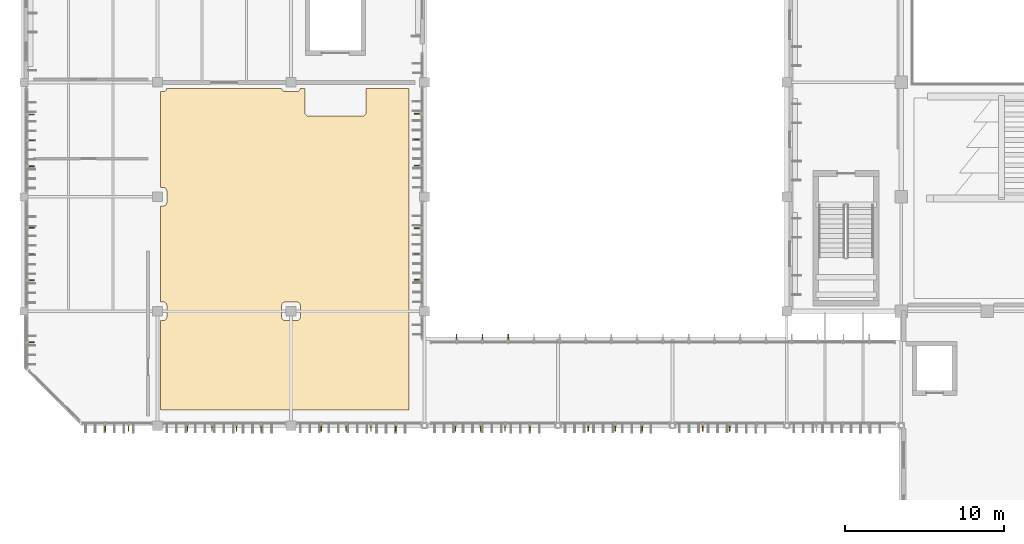
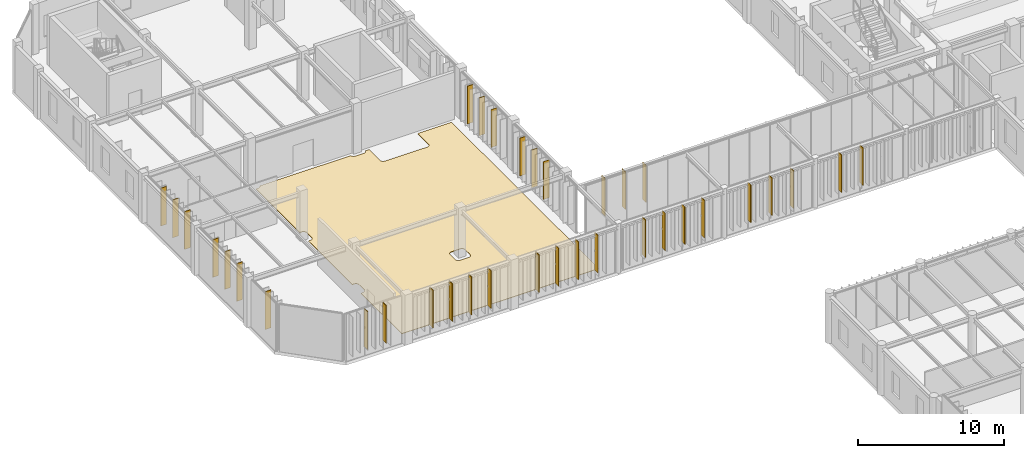
# One storey, part 91 of 104: 35 shading devices, 1 covering.
"""IFC4 building model written with IfcOpenShell, lengths in metres."""

from ifc_helpers import new_model, si_unit, direction, frame, origin, origin_2d, place, context, subcontext, project, spatial, polyline, rectangle, outline, extrude, material, layer, layer_set, type_object, element, save


model = new_model("IFC4")

# Units and contexts
model_context = context("Model", 3, precision=1e-05, world=origin(), true_north=direction((0.0, 1.0)))
body_context = subcontext(model_context, "Body", "Model", "MODEL_VIEW")
ifc_project = project(units=[si_unit("LENGTHUNIT", "METRE"), si_unit("AREAUNIT", "SQUARE_METRE"), si_unit("VOLUMEUNIT", "CUBIC_METRE"), si_unit("PLANEANGLEUNIT", "RADIAN"), si_unit("MASSUNIT", "GRAM", prefix="KILO")], contexts=[model_context])

# Site, building, storey
site_placement = place(None, origin())
site = spatial("IfcSite", under=ifc_project, at=site_placement, CompositionType="ELEMENT")
building_placement = place(site_placement, origin())
building = spatial("IfcBuilding", under=site, at=building_placement, Name="Tazoul Stagehouse", CompositionType="ELEMENT")
storey_placement = place(building_placement, frame((0.0, 0.0, 9.0)))
storey = spatial("IfcBuildingStorey", under=building, at=storey_placement, Name="L02", CompositionType="ELEMENT", Elevation=9.0)

# Shading devices
ifc_material_1 = material(Name="Anodised Bronze Aluminium 6063-T6", Category="aluminium")
ifc_layer_1 = layer(ifc_material_1, 0.050048828125, Name="Anodised Bronze Aluminium 6063-T6")
ifc_layer_set_1 = layer_set([ifc_layer_1], Name="Anodised Bronze Aluminium 6063-T6")
shading_device_type_1 = type_object("IfcShadingDeviceType", Name="Angled Acoustic Sun-Screen Blade 460", PredefinedType="USERDEFINED", material=ifc_layer_set_1)
for number, where, z_axis, x_axis, name in (
    (1, (7.5166015625, 44.469970703125, 0.75), (0.0, 0.0, 1.0), (1.0, 0.0, 0.0), "Shading Louvre FIN-02 CW-V6-S-L02-B1-SHD01"),
    (2, (12.68994140625, 44.469970703125, 0.75), (0.0, 0.0, 1.0), (1.0, 0.0, 0.0), "Shading Louvre FIN-02 CW-V6-S-L02-B2-SHD01"),
    (3, (15.77001953125, 44.469970703125, 0.75), (0.0, 0.0, 1.0), (1.0, 0.0, 0.0), "Shading Louvre FIN-02 CW-V6-S-L02-B2-SHD03"),
    (4, (21.110107421875, 44.469970703125, 0.75), (0.0, 0.0, 1.0), (1.0, 0.0, 0.0), "Shading Louvre FIN-02 CW-V6-S-L02-B3-SHD01"),
    (5, (24.22998046875, 44.469970703125, 0.75), (0.0, 0.0, 1.0), (1.0, 0.0, 0.0), "Shading Louvre FIN-02 CW-V6-S-L02-B3-SHD03"),
    (6, (2.830078125, 49.85009765625, 0.75), (0.0, 0.0, 1.0), (0.0, 1.0, 0.0), "Shading Louvre FIN-02 CW-V6-W1-L02-B1-SHD01"),
    (7, (2.830078125, 53.75, 0.75), (0.0, 0.0, 1.0), (0.0, 1.0, 0.0), "Shading Louvre FIN-02 CW-V6-W1-L02-B2-SHD01"),
    (8, (2.830078125, 57.050048828125, 0.75), (0.0, 0.0, 1.0), (0.0, 1.0, 0.0), "Shading Louvre FIN-02 CW-V6-W1-L02-B2-SHD03"),
    (9, (2.830078125, 60.925048828125, 0.75), (0.0, 0.0, 1.0), (0.0, 1.0, 0.0), "Shading Louvre FIN-02 CW-V6-W1-L02-B3-SHD01"),
    (10, (2.830078125, 64.175048828125, 0.75), (0.0, 0.0, 1.0), (0.0, 1.0, 0.0), "Shading Louvre FIN-02 CW-V6-W1-L02-B3-SHD03"),
    (11, (27.169921875, 53.77490234375, 0.75), (0.0, 0.0, 1.0), (0.0, 1.0, 0.0), "Shading Louvre FIN-02 CW-V6-E1-L02-B2-SHD01"),
    (12, (27.169921875, 57.02490234375, 0.75), (0.0, 0.0, 1.0), (0.0, 1.0, 0.0), "Shading Louvre FIN-02 CW-V6-E1-L02-B2-SHD03"),
    (13, (27.169921875, 60.97509765625, 0.75), (0.0, 0.0, 1.0), (0.0, 1.0, 0.0), "Shading Louvre FIN-02 CW-V6-E1-L02-B3-SHD01"),
    (14, (27.169921875, 64.22509765625, 0.75), (0.0, 0.0, 1.0), (0.0, 1.0, 0.0), "Shading Louvre FIN-02 CW-V6-E1-L02-B3-SHD03"),
):
    element("IfcShadingDevice", number, at=place(storey_placement, frame(where, z_axis=z_axis, x_axis=x_axis)), inside=storey, type_object=shading_device_type_1, Name=name, ObjectType="FIN", PredefinedType="USERDEFINED", context=body_context, shape_type="SweptSolid", body=[
        extrude(rectangle(XDim=0.044921875, YDim=0.4599609375, at=origin_2d()), origin(), (0.0, 0.0, 1.0), 3.169921875),
    ])
for number, where, z_axis, x_axis, name in (
    (15, (29.5576171875, 44.469970703125, 0.75), (0.0, 0.0, 1.0), (1.0, 0.0, 0.0), "Shading Louvre FIN-02 CW-WLNK-S-L02-B1-SHD01"),
    (16, (32.6728515625, 44.469970703125, 0.75), (0.0, 0.0, 1.0), (1.0, 0.0, 0.0), "Shading Louvre FIN-02 CW-WLNK-S-L02-B1-SHD03"),
    (17, (37.906005859375, 44.469970703125, 0.75), (0.0, 0.0, 1.0), (1.0, 0.0, 0.0), "Shading Louvre FIN-02 CW-WLNK-S-L02-B2-SHD01"),
    (18, (41.294189453125, 44.469970703125, 0.75), (0.0, 0.0, 1.0), (1.0, 0.0, 0.0), "Shading Louvre FIN-02 CW-WLNK-S-L02-B2-SHD03"),
    (19, (45.10595703125, 44.469970703125, 0.75), (0.0, 0.0, 1.0), (1.0, 0.0, 0.0), "Shading Louvre FIN-02 CW-WLNK-S-L02-B3-SHD01"),
    (20, (29.622314453125, 50.1298828125, 0.75), (0.0, 0.0, 1.0), (1.0, 0.0, 0.0), "Shading Louvre FIN-02 CW-WLNK-N-L02-SHD01"),
    (21, (32.86669921875, 50.1298828125, 0.75), (0.0, 0.0, 1.0), (1.0, 0.0, 0.0), "Shading Louvre FIN-02 CW-WLNK-N-L02-SHD03"),
):
    element("IfcShadingDevice", number, at=place(storey_placement, frame(where, z_axis=z_axis, x_axis=x_axis)), inside=storey, type_object=shading_device_type_1, Name=name, ObjectType="FIN", PredefinedType="USERDEFINED", context=body_context, shape_type="SweptSolid", body=[
        extrude(rectangle(XDim=0.044921875, YDim=0.4599609375, at=origin_2d()), origin(), (0.0, 0.0, 1.0), 3.14990234375),
    ])

# Covering
ifc_material_2 = material(Name="Acoustic Cedar Timber", Category="wood")
ifc_layer_2 = layer(ifc_material_2, 0.0400390625, Name="Acoustic Cedar Timber")
ifc_layer_set_2 = layer_set([ifc_layer_2], Name="Acoustic Cedar Timber")
covering_type = type_object("IfcCoveringType", Name="Atlas Cedar Sprung Stage & Hall Flooring 40", PredefinedType="FLOORING", material=ifc_layer_set_2)
covering_placement = place(storey_placement, origin())
element("IfcCovering", 22, at=covering_placement, inside=storey, type_object=covering_type, Name="L02 Experimental Black-Box Theatre Flooring", PredefinedType="FLOORING", context=body_context, shape_type="SweptSolid", body=[
    extrude(outline(polyline([(11.16455078125, 51.211181640625), (11.188720703125, 51.21484375), (11.212646484375, 51.220703125), (11.235595703125, 51.22900390625), (11.2578125, 51.239501953125), (11.27880859375, 51.252197265625), (11.298583984375, 51.2666015625), (11.31689453125, 51.283203125), (11.333251953125, 51.301513671875), (11.347900390625, 51.321044921875), (11.360595703125, 51.34228515625), (11.37109375, 51.3642578125), (11.379150390625, 51.387451171875), (11.38525390625, 51.4111328125), (11.388916015625, 51.435546875), (11.389892578125, 51.4599609375), (11.389892578125, 52.139892578125), (11.388916015625, 52.16455078125), (11.38525390625, 52.188720703125), (11.379150390625, 52.212646484375), (11.37109375, 52.235595703125), (11.360595703125, 52.2578125), (11.347900390625, 52.27880859375), (11.333251953125, 52.298583984375), (11.31689453125, 52.31689453125), (11.298583984375, 52.333251953125), (11.27880859375, 52.347900390625), (11.2578125, 52.360595703125), (11.235595703125, 52.37109375), (11.212646484375, 52.379150390625), (11.188720703125, 52.38525390625), (11.16455078125, 52.388916015625), (11.139892578125, 52.389892578125), (10.989990234375, 52.389892578125), (10.989990234375, 58.409912109375), (11.139892578125, 58.409912109375), (11.16455078125, 58.4111328125), (11.188720703125, 58.414794921875), (11.212646484375, 58.4208984375), (11.235595703125, 58.428955078125), (11.2578125, 58.439453125), (11.27880859375, 58.4521484375), (11.298583984375, 58.466796875), (11.31689453125, 58.483154296875), (11.333251953125, 58.50146484375), (11.347900390625, 58.52099609375), (11.360595703125, 58.542236328125), (11.37109375, 58.564208984375), (11.379150390625, 58.58740234375), (11.38525390625, 58.611083984375), (11.388916015625, 58.635498046875), (11.389892578125, 58.659912109375), (11.389892578125, 59.340087890625), (11.388916015625, 59.364501953125), (11.38525390625, 59.388916015625), (11.379150390625, 59.41259765625), (11.37109375, 59.435791015625), (11.360595703125, 59.457763671875), (11.347900390625, 59.47900390625), (11.333251953125, 59.49853515625), (11.31689453125, 59.516845703125), (11.298583984375, 59.533203125), (11.27880859375, 59.5478515625), (11.2578125, 59.560546875), (11.235595703125, 59.571044921875), (11.212646484375, 59.5791015625), (11.188720703125, 59.585205078125), (11.16455078125, 59.5888671875), (11.139892578125, 59.590087890625), (10.989990234375, 59.590087890625), (10.989990234375, 65.610107421875), (11.139892578125, 65.610107421875), (11.16455078125, 65.611083984375), (11.188720703125, 65.61474609375), (11.212646484375, 65.620849609375), (11.235595703125, 65.62890625), (11.2578125, 65.639404296875), (11.27880859375, 65.652099609375), (11.298583984375, 65.666748046875), (11.31689453125, 65.68310546875), (11.333251953125, 65.701416015625), (11.347900390625, 65.72119140625), (11.360595703125, 65.7421875), (11.37109375, 65.764404296875), (11.379150390625, 65.787353515625), (11.385009765625, 65.81005859375), (18.614990234375, 65.81005859375), (18.620849609375, 65.787353515625), (18.62890625, 65.764404296875), (18.639404296875, 65.7421875), (18.652099609375, 65.72119140625), (18.666748046875, 65.701416015625), (18.68310546875, 65.68310546875), (18.701416015625, 65.666748046875), (18.72119140625, 65.652099609375), (18.7421875, 65.639404296875), (18.764404296875, 65.62890625), (18.787353515625, 65.620849609375), (18.811279296875, 65.61474609375), (18.83544921875, 65.611083984375), (18.860107421875, 65.610107421875), (19.5400390625, 65.610107421875), (19.564453125, 65.611083984375), (19.5888671875, 65.61474609375), (19.612548828125, 65.620849609375), (19.6357421875, 65.62890625), (19.65771484375, 65.639404296875), (19.678955078125, 65.652099609375), (19.698486328125, 65.666748046875), (19.716796875, 65.68310546875), (19.7333984375, 65.701416015625), (19.747802734375, 65.72119140625), (19.760498046875, 65.7421875), (19.77099609375, 65.764404296875), (19.779296875, 65.787353515625), (19.784912109375, 65.81005859375), (20.070068359375, 65.81005859375), (20.070068359375, 64.340087890625), (20.0703125, 64.32763671875), (20.0703125, 64.32568359375), (20.07275390625, 64.301513671875), (20.072998046875, 64.29931640625), (20.077880859375, 64.275390625), (20.078369140625, 64.2734375), (20.08544921875, 64.25), (20.086181640625, 64.248046875), (20.095458984375, 64.2255859375), (20.096435546875, 64.2236328125), (20.10791015625, 64.201904296875), (20.10888671875, 64.200439453125), (20.12255859375, 64.179931640625), (20.123779296875, 64.178466796875), (20.139404296875, 64.159423828125), (20.140625, 64.157958984375), (20.157958984375, 64.140625), (20.159423828125, 64.139404296875), (20.178466796875, 64.123779296875), (20.179931640625, 64.12255859375), (20.200439453125, 64.10888671875), (20.201904296875, 64.10791015625), (20.2236328125, 64.096435546875), (20.2255859375, 64.095458984375), (20.248046875, 64.086181640625), (20.25, 64.08544921875), (20.2734375, 64.078369140625), (20.275390625, 64.077880859375), (20.29931640625, 64.072998046875), (20.301513671875, 64.07275390625), (20.32568359375, 64.0703125), (20.32763671875, 64.0703125), (20.340087890625, 64.070068359375), (23.659912109375, 64.070068359375), (23.67236328125, 64.0703125), (23.67431640625, 64.0703125), (23.698486328125, 64.07275390625), (23.70068359375, 64.072998046875), (23.724609375, 64.077880859375), (23.7265625, 64.078369140625), (23.75, 64.08544921875), (23.751953125, 64.086181640625), (23.7744140625, 64.095458984375), (23.7763671875, 64.096435546875), (23.798095703125, 64.10791015625), (23.799560546875, 64.10888671875), (23.820068359375, 64.12255859375), (23.821533203125, 64.123779296875), (23.840576171875, 64.139404296875), (23.842041015625, 64.140625), (23.859375, 64.157958984375), (23.860595703125, 64.159423828125), (23.876220703125, 64.178466796875), (23.87744140625, 64.179931640625), (23.89111328125, 64.200439453125), (23.89208984375, 64.201904296875), (23.903564453125, 64.2236328125), (23.904541015625, 64.2255859375), (23.913818359375, 64.248046875), (23.91455078125, 64.25), (23.921630859375, 64.2734375), (23.922119140625, 64.275390625), (23.927001953125, 64.29931640625), (23.92724609375, 64.301513671875), (23.9296875, 64.32568359375), (23.9296875, 64.32763671875), (23.929931640625, 64.340087890625), (23.929931640625, 65.81005859375), (26.610107421875, 65.81005859375), (26.610107421875, 45.590087890625), (10.989990234375, 45.590087890625), (10.989990234375, 51.2099609375), (11.139892578125, 51.2099609375), (11.16455078125, 51.211181640625)]), holes=[polyline([(18.611083984375, 51.435546875), (18.61474609375, 51.4111328125), (18.620849609375, 51.387451171875), (18.62890625, 51.3642578125), (18.639404296875, 51.34228515625), (18.652099609375, 51.321044921875), (18.666748046875, 51.301513671875), (18.68310546875, 51.283203125), (18.701416015625, 51.2666015625), (18.72119140625, 51.252197265625), (18.7421875, 51.239501953125), (18.764404296875, 51.22900390625), (18.787353515625, 51.220703125), (18.811279296875, 51.21484375), (18.83544921875, 51.211181640625), (18.860107421875, 51.2099609375), (19.5400390625, 51.2099609375), (19.564453125, 51.211181640625), (19.5888671875, 51.21484375), (19.612548828125, 51.220703125), (19.6357421875, 51.22900390625), (19.65771484375, 51.239501953125), (19.678955078125, 51.252197265625), (19.698486328125, 51.2666015625), (19.716796875, 51.283203125), (19.7333984375, 51.301513671875), (19.747802734375, 51.321044921875), (19.760498046875, 51.34228515625), (19.77099609375, 51.3642578125), (19.779296875, 51.387451171875), (19.78515625, 51.4111328125), (19.788818359375, 51.435546875), (19.7900390625, 51.4599609375), (19.7900390625, 52.139892578125), (19.788818359375, 52.16455078125), (19.78515625, 52.188720703125), (19.779296875, 52.212646484375), (19.77099609375, 52.235595703125), (19.760498046875, 52.2578125), (19.747802734375, 52.27880859375), (19.7333984375, 52.298583984375), (19.716796875, 52.31689453125), (19.698486328125, 52.333251953125), (19.678955078125, 52.347900390625), (19.65771484375, 52.360595703125), (19.6357421875, 52.37109375), (19.612548828125, 52.379150390625), (19.5888671875, 52.38525390625), (19.564453125, 52.388916015625), (19.5400390625, 52.389892578125), (18.860107421875, 52.389892578125), (18.83544921875, 52.388916015625), (18.811279296875, 52.38525390625), (18.787353515625, 52.379150390625), (18.764404296875, 52.37109375), (18.7421875, 52.360595703125), (18.72119140625, 52.347900390625), (18.701416015625, 52.333251953125), (18.68310546875, 52.31689453125), (18.666748046875, 52.298583984375), (18.652099609375, 52.27880859375), (18.639404296875, 52.2578125), (18.62890625, 52.235595703125), (18.620849609375, 52.212646484375), (18.61474609375, 52.188720703125), (18.611083984375, 52.16455078125), (18.610107421875, 52.139892578125), (18.610107421875, 51.4599609375), (18.611083984375, 51.435546875)])]), origin(), (0.0, 0.0, 1.0), 0.0400390625),
])

# Shading devices
ifc_layer_3 = layer(ifc_material_1, 0.044921875, Name="Anodised Bronze Aluminium 6063-T6")
ifc_layer_set_3 = layer_set([ifc_layer_3], Name="Anodised Bronze Aluminium 6063-T6")
shading_device_type_2 = type_object("IfcShadingDeviceType", Name="Vertical Extruded Terracotta-Bronze Louvre 460", PredefinedType="JALOUSIE", material=ifc_layer_set_3)
for number, where, z_axis, x_axis, name in (
    (23, (8.9833984375, 44.469970703125, 0.75), (0.0, 0.0, 1.0), (1.0, 0.0, 0.0), "Shading Louvre FIN-01 CW-V6-S-L02-B1-SHD02"),
    (24, (14.22998046875, 44.469970703125, 0.75), (0.0, 0.0, 1.0), (1.0, 0.0, 0.0), "Shading Louvre FIN-01 CW-V6-S-L02-B2-SHD02"),
    (25, (17.31005859375, 44.469970703125, 0.75), (0.0, 0.0, 1.0), (1.0, 0.0, 0.0), "Shading Louvre FIN-01 CW-V6-S-L02-B2-SHD04"),
    (26, (22.669921875, 44.469970703125, 0.75), (0.0, 0.0, 1.0), (1.0, 0.0, 0.0), "Shading Louvre FIN-01 CW-V6-S-L02-B3-SHD02"),
    (27, (25.7900390625, 44.469970703125, 0.75), (0.0, 0.0, 1.0), (1.0, 0.0, 0.0), "Shading Louvre FIN-01 CW-V6-S-L02-B3-SHD04"),
    (28, (2.830078125, 55.39990234375, 0.75), (0.0, 0.0, 1.0), (0.0, 1.0, 0.0), "Shading Louvre FIN-01 CW-V6-W1-L02-B2-SHD02"),
    (29, (2.830078125, 62.550048828125, 0.75), (0.0, 0.0, 1.0), (0.0, 1.0, 0.0), "Shading Louvre FIN-01 CW-V6-W1-L02-B3-SHD02"),
    (30, (27.169921875, 55.39990234375, 0.75), (0.0, 0.0, 1.0), (0.0, 1.0, 0.0), "Shading Louvre FIN-01 CW-V6-E1-L02-B2-SHD02"),
    (31, (27.169921875, 62.60009765625, 0.75), (0.0, 0.0, 1.0), (0.0, 1.0, 0.0), "Shading Louvre FIN-01 CW-V6-E1-L02-B3-SHD02"),
):
    element("IfcShadingDevice", number, at=place(storey_placement, frame(where, z_axis=z_axis, x_axis=x_axis)), inside=storey, type_object=shading_device_type_2, Name=name, PredefinedType="JALOUSIE", context=body_context, shape_type="SweptSolid", body=[
        extrude(rectangle(XDim=0.044921875, YDim=0.4599609375, at=origin_2d()), origin(), (0.0, 0.0, 1.0), 3.169921875),
    ])
for number, where, z_axis, x_axis, name in (
    (32, (31.115234375, 44.469970703125, 0.75), (0.0, 0.0, 1.0), (1.0, 0.0, 0.0), "Shading Louvre FIN-01 CW-WLNK-S-L02-B1-SHD02"),
    (33, (34.23046875, 44.469970703125, 0.75), (0.0, 0.0, 1.0), (1.0, 0.0, 0.0), "Shading Louvre FIN-01 CW-WLNK-S-L02-B1-SHD04"),
    (34, (39.60009765625, 44.469970703125, 0.75), (0.0, 0.0, 1.0), (1.0, 0.0, 0.0), "Shading Louvre FIN-01 CW-WLNK-S-L02-B2-SHD02"),
    (35, (46.800048828125, 44.469970703125, 0.75), (0.0, 0.0, 1.0), (1.0, 0.0, 0.0), "Shading Louvre FIN-01 CW-WLNK-S-L02-B3-SHD02"),
    (36, (31.244384765625, 50.1298828125, 0.75), (0.0, 0.0, 1.0), (1.0, 0.0, 0.0), "Shading Louvre FIN-01 CW-WLNK-N-L02-SHD02"),
):
    element("IfcShadingDevice", number, at=place(storey_placement, frame(where, z_axis=z_axis, x_axis=x_axis)), inside=storey, type_object=shading_device_type_2, Name=name, PredefinedType="JALOUSIE", context=body_context, shape_type="SweptSolid", body=[
        extrude(rectangle(XDim=0.044921875, YDim=0.4599609375, at=origin_2d()), origin(), (0.0, 0.0, 1.0), 3.14990234375),
    ])

save(model, "model.ifc")
